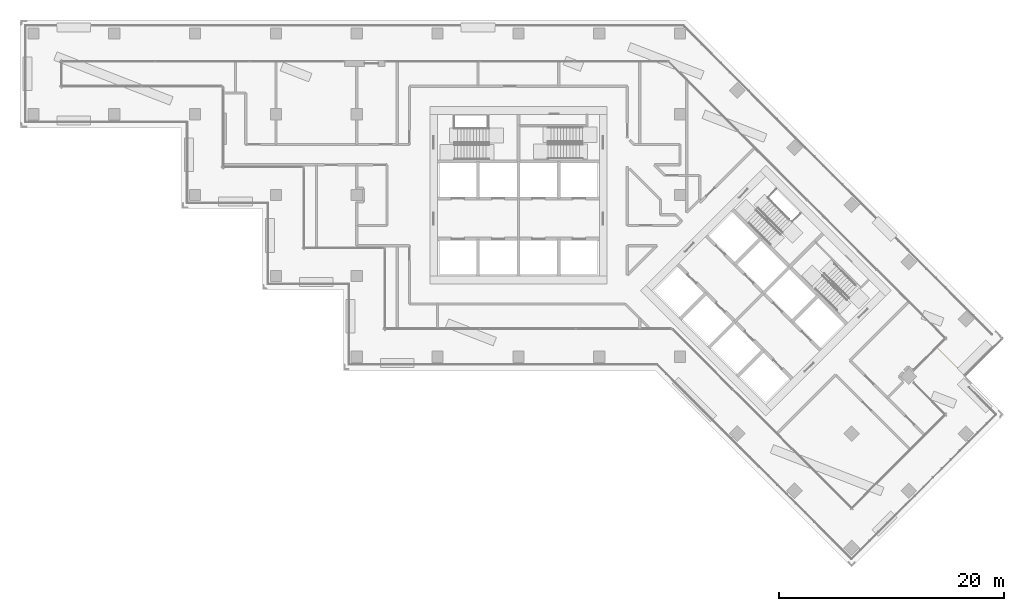
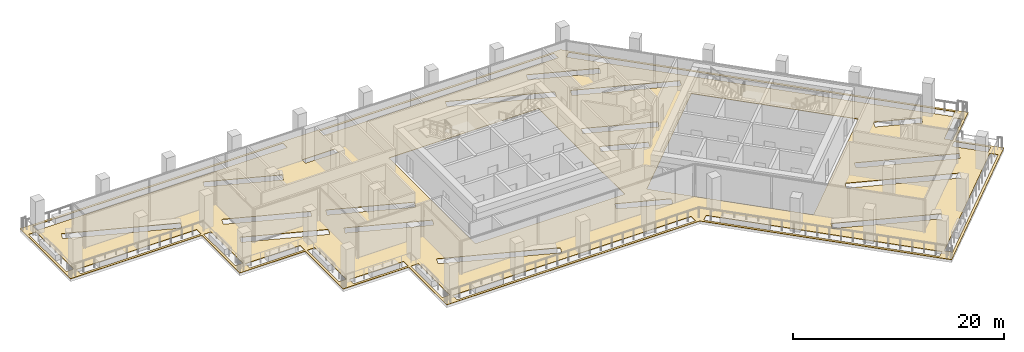
# One storey, part 14 of 21: 1 covering.
"""IFC4 building model written with IfcOpenShell, lengths in metres."""

from ifc_helpers import new_model, si_unit, direction, frame, origin, place, context, subcontext, project, spatial, polyline, outline, extrude, material, layer, layer_set, type_object, element, save


model = new_model("IFC4")

# Units and contexts
model_context = context("Model", 3, precision=1e-05, world=origin(), true_north=direction((0.0, 1.0)))
body_context = subcontext(model_context, "Body", "Model", "MODEL_VIEW")
ifc_project = project(units=[si_unit("LENGTHUNIT", "METRE"), si_unit("AREAUNIT", "SQUARE_METRE"), si_unit("VOLUMEUNIT", "CUBIC_METRE"), si_unit("PLANEANGLEUNIT", "RADIAN"), si_unit("MASSUNIT", "GRAM", prefix="KILO")], contexts=[model_context])

# Site, building, storey
site_placement = place(None, origin())
site = spatial("IfcSite", under=ifc_project, at=site_placement, CompositionType="ELEMENT")
building_placement = place(site_placement, origin())
building = spatial("IfcBuilding", under=site, at=building_placement, Name="Windrow Commons", CompositionType="ELEMENT")
storey_placement = place(building_placement, frame((0.0, 0.0, 131.2)))
storey = spatial("IfcBuildingStorey", under=building, at=storey_placement, Name="L35", CompositionType="ELEMENT", Elevation=131.2)

# Covering
ifc_material = material(Name="Granite paving", Category="masonry")
ifc_layer = layer(ifc_material, 0.05)
ifc_layer_set = layer_set([ifc_layer], Name="Terrace paving 50")
covering_type = type_object("IfcCoveringType", Name="Terrace paving 50", PredefinedType="FLOORING", material=ifc_layer_set)
covering_placement = place(storey_placement, origin())
element("IfcCovering", 1, at=covering_placement, inside=storey, type_object=covering_type, Name="Terrace paving TR-L35-1", PredefinedType="FLOORING", context=body_context, shape_type="SweptSolid", body=[
    extrude(outline(polyline([(49.2, 42.0), (49.2, 49.2), (42.0, 49.2), (42.0, 56.4), (34.8, 56.4), (34.8, 63.6), (20.4, 63.6), (20.4, 73.2), (79.6971, 73.2), (108.05, 44.8471), (104.6558, 41.453), (108.05, 38.0589), (94.4735, 24.4824), (76.9559, 42.0), (49.2, 42.0)]), holes=[polyline([(76.6251, 43.06), (50.45, 43.06), (50.45, 42.24), (76.6251, 42.24), (76.6251, 43.06)]), polyline([(50.26, 43.25), (50.26, 49.25), (49.44, 49.25), (49.44, 43.25), (50.26, 43.25)]), polyline([(51.8715, 48.302), (62.9686, 44.0083), (63.2645, 44.773), (52.1674, 49.0668), (51.8715, 48.302)]), polyline([(49.25, 50.26), (43.25, 50.26), (43.25, 49.44), (49.25, 49.44), (49.25, 50.26)]), polyline([(43.06, 50.45), (43.06, 56.45), (42.24, 56.45), (42.24, 50.45), (43.06, 50.45)]), polyline([(46.8015, 57.1261), (54.7326, 54.0574), (55.0285, 54.8221), (47.0974, 57.8909), (46.8015, 57.1261)]), polyline([(42.05, 57.46), (36.05, 57.46), (36.05, 56.64), (42.05, 56.64), (42.05, 57.46)]), polyline([(56.6, 65.8), (56.6, 49.4), (73.0, 49.4), (73.0, 65.8), (56.6, 65.8)]), polyline([(46.8015, 60.5573), (54.7326, 57.4886), (55.0285, 58.2533), (47.0974, 61.3221), (46.8015, 60.5573)]), polyline([(37.4715, 60.7362), (45.4026, 57.6674), (45.6985, 58.4322), (37.7674, 61.5009), (37.4715, 60.7362)]), polyline([(35.86, 57.65), (35.86, 63.65), (35.04, 63.65), (35.04, 57.65), (35.86, 57.65)]), polyline([(37.4715, 64.1674), (45.4026, 61.0986), (45.6985, 61.8634), (37.7674, 64.9321), (37.4715, 64.1674)]), polyline([(34.85, 64.66), (21.65, 64.66), (21.65, 63.84), (34.85, 63.84), (34.85, 64.66)]), polyline([(23.0715, 69.7391), (33.7476, 65.6083), (34.0435, 66.373), (23.3674, 70.5039), (23.0715, 69.7391)]), polyline([(21.46, 64.85), (21.46, 71.95), (20.64, 71.95), (20.64, 64.85), (21.46, 64.85)]), polyline([(52.9029, 69.65), (49.3029, 69.65), (49.3029, 69.0), (52.9029, 69.0), (52.9029, 69.65)]), polyline([(39.3252, 71.1917), (39.0293, 70.427), (46.1117, 67.6866), (46.4076, 68.4514), (39.3252, 71.1917)]), polyline([(21.65, 72.14), (49.1029, 72.14), (49.1029, 72.96), (21.65, 72.96), (21.65, 72.14)]), polyline([(106.4166, 37.9245), (94.6079, 26.1158), (95.1877, 25.536), (106.9964, 37.3447), (106.4166, 37.9245)]), polyline([(87.2328, 34.6198), (97.0705, 30.8132), (97.3664, 31.578), (87.5287, 35.3845), (87.2328, 34.6198)]), polyline([(94.3391, 26.1158), (77.9393, 42.5156), (77.3595, 41.9358), (93.7593, 25.536), (94.3391, 26.1158)]), polyline([(91.7319, 39.7413), (102.0184, 35.7611), (102.3143, 36.5259), (92.0278, 40.506), (91.7319, 39.7413)]), polyline([(103.8709, 40.7388), (106.4166, 38.1932), (106.9964, 38.7731), (104.4507, 41.3187), (103.8709, 40.7388)]), polyline([(94.2058, 42.2152), (103.553, 38.5986), (103.8489, 39.3633), (94.5017, 42.98), (94.2058, 42.2152)]), polyline([(106.9964, 44.1329), (106.4166, 44.7128), (103.8709, 42.1672), (104.4507, 41.5873), (106.9964, 44.1329)]), polyline([(99.4496, 47.9279), (99.1537, 47.1631), (103.4321, 45.5077), (103.728, 46.2725), (99.4496, 47.9279)]), polyline([(71.0932, 47.727), (76.1629, 45.7654), (76.4588, 46.5301), (71.3891, 48.4917), (71.0932, 47.727)]), polyline([(86.8368, 60.6863), (75.2402, 49.0897), (86.8368, 37.4932), (98.4333, 49.0897), (86.8368, 60.6863)]), polyline([(74.5715, 56.6747), (78.952, 54.9798), (79.2479, 55.7445), (74.8674, 57.4395), (74.5715, 56.6747)]), polyline([(79.5623, 71.8358), (106.4166, 44.9815), (106.9964, 45.5613), (80.1421, 72.4156), (79.5623, 71.8358)]), polyline([(74.5715, 60.1059), (81.426, 57.4537), (81.7219, 58.2185), (74.8674, 60.8706), (74.5715, 60.1059)]), polyline([(76.8367, 66.0918), (86.6419, 62.2979), (86.9378, 63.0626), (77.1327, 66.8565), (76.8367, 66.0918)]), polyline([(65.6326, 70.427), (75.4378, 66.6331), (75.7337, 67.3978), (65.9285, 71.1917), (65.6326, 70.427)]), polyline([(74.7963, 71.1917), (74.5004, 70.427), (81.0452, 67.8946), (81.3411, 68.6594), (74.7963, 71.1917)]), polyline([(53.1029, 72.96), (53.1029, 72.14), (78.8279, 72.14), (78.8279, 72.96), (53.1029, 72.96)])]), origin(), (0.0, 0.0, 1.0), 0.05),
])

save(model, "model.ifc")
